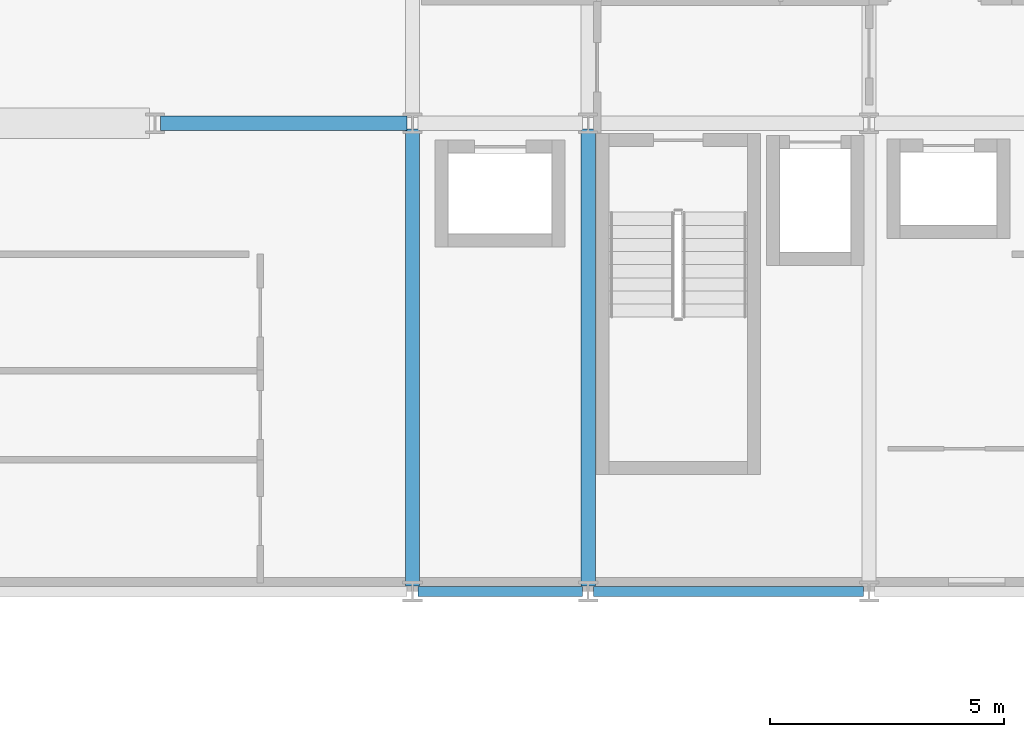
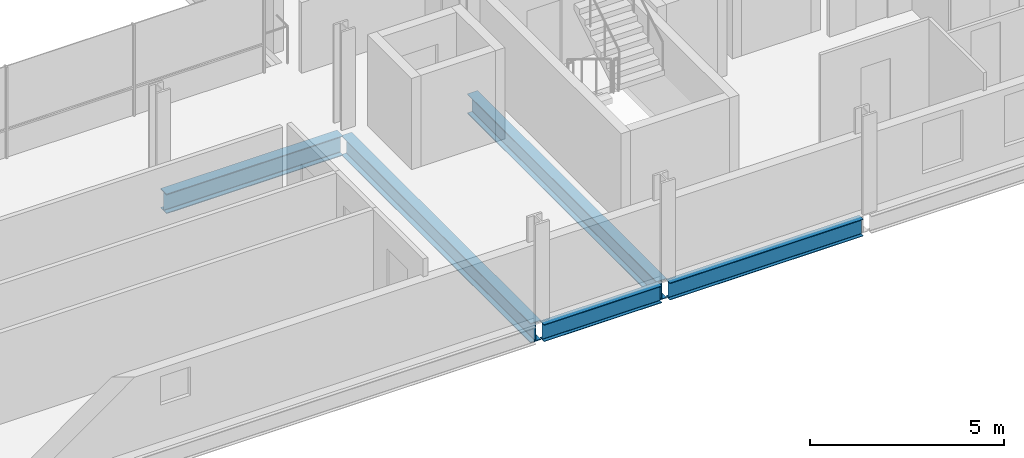
# One storey, part 12 of 40: 5 beams.
"""IFC4 building model written with IfcOpenShell, lengths in metres."""

from ifc_helpers import new_model, si_unit, direction, frame, origin, origin_2d, place, context, subcontext, project, spatial, i_section, extrude, material, material_profile, profile_set, type_object, element, save


model = new_model("IFC4")

# Units and contexts
model_context = context("Model", 3, precision=1e-05, world=origin(), true_north=direction((0.0, 1.0)))
body_context = subcontext(model_context, "Body", "Model", "MODEL_VIEW")
ifc_project = project(units=[si_unit("LENGTHUNIT", "METRE"), si_unit("AREAUNIT", "SQUARE_METRE"), si_unit("VOLUMEUNIT", "CUBIC_METRE"), si_unit("PLANEANGLEUNIT", "RADIAN"), si_unit("MASSUNIT", "GRAM", prefix="KILO")], contexts=[model_context])

# Site, building, storey
site_placement = place(None, origin())
site = spatial("IfcSite", under=ifc_project, at=site_placement, CompositionType="ELEMENT")
building_placement = place(site_placement, origin())
building = spatial("IfcBuilding", under=site, at=building_placement, Name="Brevholm Reach", CompositionType="ELEMENT")
storey_placement = place(building_placement, frame((0.0, 0.0, 62.10009765625)))
storey = spatial("IfcBuildingStorey", under=building, at=storey_placement, Name="L17", CompositionType="ELEMENT", Elevation=62.10009765625)

# Beams
ifc_material_1 = material(Name="Structural Steel S355J2", Category="steel")
ifc_material_profile_1 = material_profile(ifc_material_1, i_section(OverallWidth=0.210693359375, OverallDepth=0.53955078125, WebThickness=0.01171875, FlangeThickness=0.018798828125, FilletRadius=0.0126953125, at=origin_2d()), Name="UKB 533x210x109")
ifc_profile_set_1 = profile_set([ifc_material_profile_1], Name="Structural Steel S355J2")
beam_type_1 = type_object("IfcBeamType", Name="BM-SP539", PredefinedType="SPANDREL", material=ifc_profile_set_1)
beam_1_placement = place(storey_placement, frame((38.3701171875, 0.0, -0.499755859375), z_axis=(1.0, 0.0, 0.0), x_axis=(0.0, 1.0, 0.0)))
element("IfcBeam", 1, at=beam_1_placement, inside=storey, type_object=beam_type_1, Name="L17 SP-01B Framing Beam", PredefinedType="SPANDREL", context=body_context, shape_type="SweptSolid", body=[
    extrude(i_section(OverallWidth=0.210693359375, OverallDepth=0.53955078125, WebThickness=0.01171875, FlangeThickness=0.018798828125, FilletRadius=0.0126953125, at=origin_2d()), origin(), (0.0, 0.0, 1.0), 3.509765625),
])
beam_2_placement = place(storey_placement, frame((42.1201171875, 0.0, -0.499755859375), z_axis=(1.0, 0.0, 0.0), x_axis=(0.0, 1.0, 0.0)))
element("IfcBeam", 2, at=beam_2_placement, inside=storey, type_object=beam_type_1, Name="L17 SP-01B Framing Beam", PredefinedType="SPANDREL", context=body_context, shape_type="SweptSolid", body=[
    extrude(i_section(OverallWidth=0.210693359375, OverallDepth=0.53955078125, WebThickness=0.01171875, FlangeThickness=0.018798828125, FilletRadius=0.0126953125, at=origin_2d()), origin(), (0.0, 0.0, 1.0), 5.759765625),
])
ifc_material_2 = material(Name="Structural Steel S355J2", Category="steel")
ifc_material_profile_2 = material_profile(ifc_material_2, i_section(OverallWidth=0.30712890625, OverallDepth=0.6201171875, WebThickness=0.01416015625, FlangeThickness=0.023681640625, FilletRadius=0.0166015625, at=origin_2d()), Name="UKB 610x305x179")
ifc_profile_set_2 = profile_set([ifc_material_profile_2], Name="Structural Steel S355J2")
beam_type_2 = type_object("IfcBeamType", Name="BM-UKB610H", PredefinedType="USERDEFINED", material=ifc_profile_set_2)
beam_3_placement = place(storey_placement, frame((32.8701171875, 10.0, -0.540283203125), z_axis=(1.0, 0.0, 0.0), x_axis=(0.0, 1.0, 0.0)))
element("IfcBeam", 3, at=beam_3_placement, inside=storey, type_object=beam_type_2, Name="L17 G-06 Framing Beam", ObjectType="GIRDER", PredefinedType="USERDEFINED", context=body_context, shape_type="SweptSolid", body=[
    extrude(i_section(OverallWidth=0.30712890625, OverallDepth=0.6201171875, WebThickness=0.01416015625, FlangeThickness=0.023681640625, FilletRadius=0.0166015625, at=origin_2d()), origin(), (0.0, 0.0, 1.0), 5.259765625),
])
for number, where, z_axis, x_axis, name in (
    (4, (38.25, 0.1201171875, -0.540283203125), (0.0, 1.0, 0.0), (-1.0, 0.0, 0.0), "L17 G-06 Framing Beam"),
    (5, (42.0, 0.1201171875, -0.540283203125), (0.0, 1.0, 0.0), (-1.0, 0.0, 0.0), "L17 G-06 Framing Beam"),
):
    element("IfcBeam", number, at=place(storey_placement, frame(where, z_axis=z_axis, x_axis=x_axis)), inside=storey, type_object=beam_type_2, Name=name, ObjectType="GIRDER", PredefinedType="USERDEFINED", context=body_context, shape_type="SweptSolid", body=[
        extrude(i_section(OverallWidth=0.30712890625, OverallDepth=0.6201171875, WebThickness=0.01416015625, FlangeThickness=0.023681640625, FilletRadius=0.0166015625, at=origin_2d()), origin(), (0.0, 0.0, 1.0), 9.759765625),
    ])

save(model, "model.ifc")
